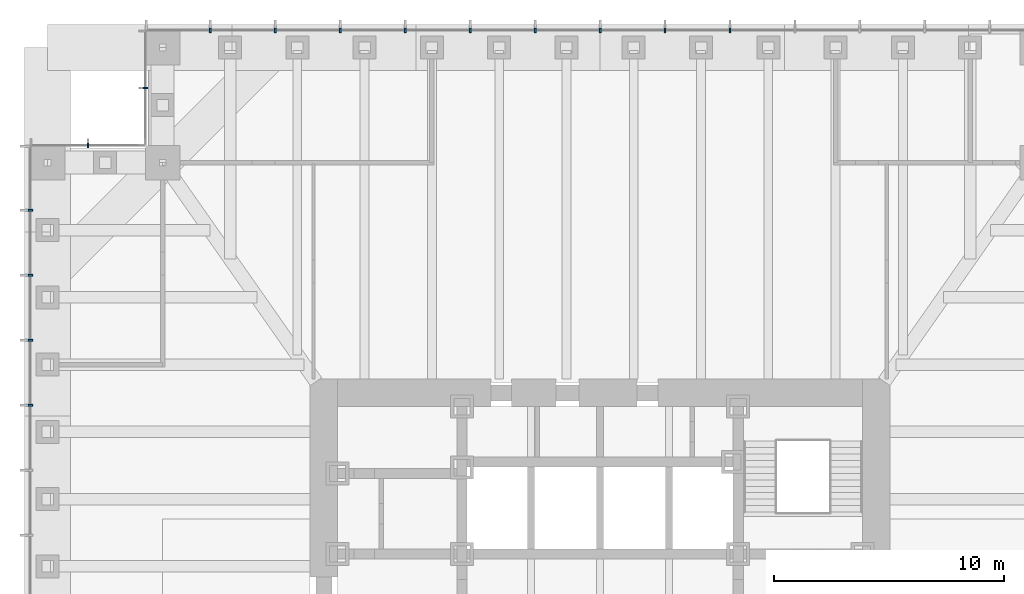
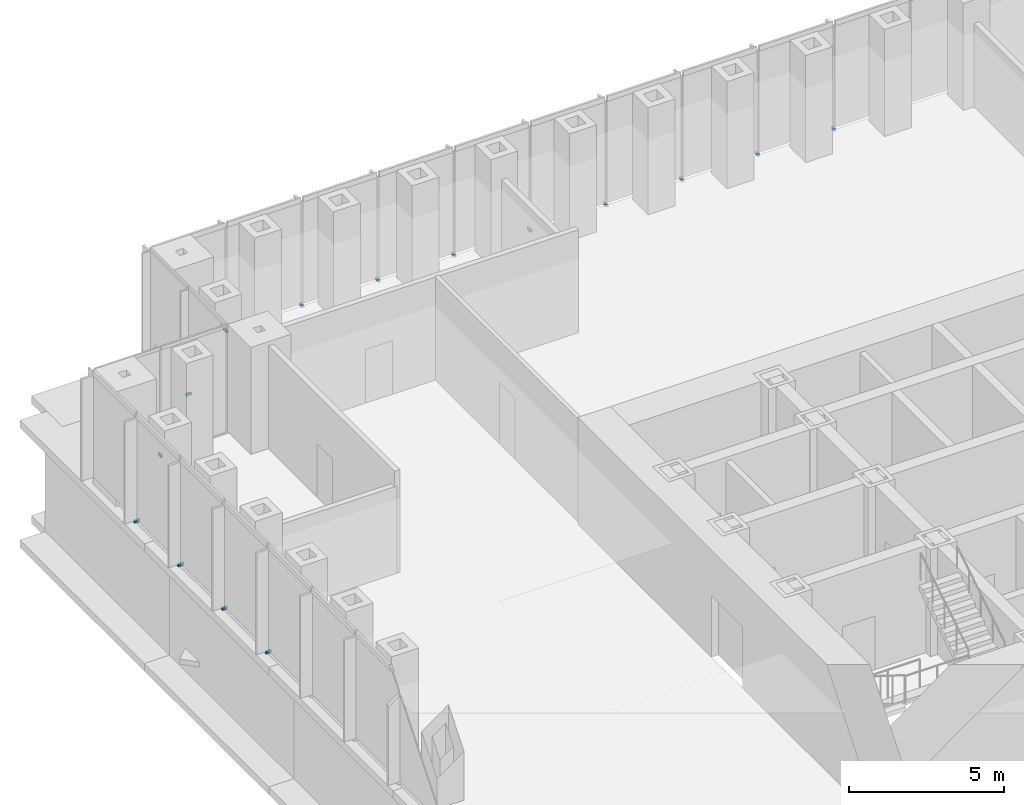
# One storey, part 14 of 16: 15 discrete accessories.
"""IFC4 building model written with IfcOpenShell, lengths in metres."""

import ifcopenshell
import ifcopenshell.guid

model = None  # the IFC model being written
_history = None  # IfcOwnerHistory: only IFC2X3 demands one
_inside = {}  # id of a spatial element -> (the spatial element, [elements in it])
_under = {}  # id of a project, library or spatial element -> (it, [spatial elements below it])
_declared = {}  # id of a project -> (the project, [libraries it declares])
_typed = {}  # id of a type object -> (the type object, [elements of that type])
_made_of = {}  # id of a material, layer set ... -> (it, [elements and type objects made of it])


def new_model(schema):
    """Start an empty IFC model of exactly this schema.

    Asked for "IFC4X3", IfcOpenShell would pick the latest addendum, in which some entities
    have other attributes; the version numbers below select the first issue.
    IFC2X3 requires an IfcOwnerHistory on every rooted entity: one is made here for all.
    """
    global model, _history
    if schema == "IFC4X3":
        model = ifcopenshell.file(schema_version=(4, 3, 0, 0))
    else:
        model = ifcopenshell.file(schema=schema)
    _inside.clear()
    _under.clear()
    _declared.clear()
    _typed.clear()
    _made_of.clear()
    _history = None
    if model.schema == "IFC2X3":
        org = make("IfcOrganization", Name="unknown")
        user = make(
            "IfcPersonAndOrganization",
            ThePerson=make("IfcPerson", FamilyName="unknown"),
            TheOrganization=org,
        )
        app = make(
            "IfcApplication",
            ApplicationDeveloper=org,
            Version="unknown",
            ApplicationFullName="unknown",
            ApplicationIdentifier="unknown",
        )
        _history = make(
            "IfcOwnerHistory",
            OwningUser=user,
            OwningApplication=app,
            ChangeAction="ADDED",
            CreationDate=0,
        )
    return model


def make(cls, **values):
    """One entity of the class cls with the attributes given. An attribute that is None is left unset."""
    return model.create_entity(
        cls, **{name: value for name, value in values.items() if value is not None}
    )


def rooted(cls, **values):
    """An entity with a GlobalId (a new one), such as an element, a storey or a relation."""
    return make(cls, GlobalId=ifcopenshell.guid.new(), OwnerHistory=_history, **values)


def si_unit(unit_type, name, prefix=None):
    """IfcSIUnit, for example si_unit("LENGTHUNIT", "METRE", prefix="MILLI")."""
    return make("IfcSIUnit", UnitType=unit_type, Prefix=prefix, Name=name)


def assignment(units):
    """IfcUnitAssignment: the units of a project."""
    return None if units is None else make("IfcUnitAssignment", Units=units)


def point(xyz):
    """IfcCartesianPoint."""
    return None if xyz is None else make("IfcCartesianPoint", Coordinates=xyz)


def direction(xyz):
    """IfcDirection."""
    return None if xyz is None else make("IfcDirection", DirectionRatios=xyz)


def frame(location, z_axis=None, x_axis=None):
    """IfcAxis2Placement3D, a coordinate frame: its origin and axes. An axis left out is left unset."""
    return make(
        "IfcAxis2Placement3D",
        Location=point(location),
        Axis=direction(z_axis),
        RefDirection=direction(x_axis),
    )


def frame_2d(location, x_axis=None):
    """IfcAxis2Placement2D, a coordinate frame in the plane: its origin and x axis."""
    return make(
        "IfcAxis2Placement2D", Location=point(location), RefDirection=direction(x_axis)
    )


def origin():
    """The frame at (0, 0, 0) with its axes left unset."""
    return frame((0.0, 0.0, 0.0))


def origin_2d():
    """The frame at (0, 0) in the plane with its x axis left unset."""
    return frame_2d((0.0, 0.0))


def place(relative_to, where):
    """IfcLocalPlacement: puts the frame where relative to a parent placement (None: the world)."""
    return make(
        "IfcLocalPlacement", PlacementRelTo=relative_to, RelativePlacement=where
    )


def context(
    kind, dimensions, precision=None, world=None, true_north=None, identifier=None
):
    """IfcGeometricRepresentationContext, for example the 3D "Model" context."""
    return make(
        "IfcGeometricRepresentationContext",
        ContextIdentifier=identifier,
        ContextType=kind,
        CoordinateSpaceDimension=dimensions,
        Precision=precision,
        WorldCoordinateSystem=world,
        TrueNorth=true_north,
    )


def subcontext(parent, identifier, kind, view, scale=None):
    """IfcGeometricRepresentationSubContext, for example "Body" below "Model"."""
    return make(
        "IfcGeometricRepresentationSubContext",
        ContextIdentifier=identifier,
        ContextType=kind,
        ParentContext=parent,
        TargetScale=scale,
        TargetView=view,
    )


def project(units=None, contexts=None):
    """IfcProject with its units and contexts."""
    return rooted(
        "IfcProject",
        Name="project",
        RepresentationContexts=contexts,
        UnitsInContext=assignment(units),
    )


def spatial(cls, under=None, at=None, **own):
    """A site, building, storey or space (cls), placed at a placement, below another one or the project."""
    s = rooted(cls, ObjectPlacement=at, **own)
    if under is not None:
        _under.setdefault(under.id(), (under, []))[1].append(s)
    return s


def profile(cls, at=None, kind="AREA", **sizes):
    """A parametric profile (cls). Its sizes go by their IFC names, for example OverallWidth=200.0."""
    return make(cls, ProfileType=kind, Position=at, **sizes)


def rectangle(**sizes):
    """IfcRectangleProfileDef."""
    return profile("IfcRectangleProfileDef", **sizes)


def extrude(swept, where, along, depth):
    """IfcExtrudedAreaSolid: the profile swept, set in the frame where, extruded along a direction by depth."""
    return make(
        "IfcExtrudedAreaSolid",
        SweptArea=swept,
        Position=where,
        ExtrudedDirection=direction(along),
        Depth=depth,
    )


def shape(context_of_items, identifier, shape_type, items):
    """IfcShapeRepresentation: the items that make up one representation, for example the "Body"."""
    return make(
        "IfcShapeRepresentation",
        ContextOfItems=context_of_items,
        RepresentationIdentifier=identifier,
        RepresentationType=shape_type,
        Items=items,
    )


def made_of(thing, what):
    """Note that an element or type object is made of a material, layer set ...; save() writes the relation."""
    if what is not None:
        _made_of.setdefault(what.id(), (what, []))[1].append(thing)
    return thing


def element(
    cls,
    number,
    at=None,
    inside=None,
    cuts=None,
    type_object=None,
    material=None,
    context=None,
    identifier="Body",
    shape_type=None,
    held_by="IfcProductDefinitionShape",
    body=None,
    shapes=None,
    **own,
):
    """One element of the class cls, such as IfcWall. Its Tag is "e" and its number.

    at: its placement. inside: the storey or other place that contains it. cuts: it is an
    opening in that element (IfcRelVoidsElement). A single representation is given by context,
    identifier, shape_type and body (its items); several are given by shapes. held_by: the class
    of the entity that holds the representations. save() writes the other relations.
    """
    e = rooted(cls, Tag="e%d" % number, ObjectPlacement=at, **own)
    if body is not None:
        shapes = [shape(context, identifier, shape_type, body)]
    if shapes is not None:
        e.Representation = make(held_by, Representations=shapes)
    if inside is not None:
        _inside.setdefault(inside.id(), (inside, []))[1].append(e)
    if cuts is not None:
        rooted(
            "IfcRelVoidsElement", RelatingBuildingElement=cuts, RelatedOpeningElement=e
        )
    if type_object is not None:
        _typed.setdefault(type_object.id(), (type_object, []))[1].append(e)
    return made_of(e, material)


def aggregate(whole, parts):
    """IfcRelAggregates: a whole, such as a stair, and the parts it consists of."""
    return rooted("IfcRelAggregates", RelatingObject=whole, RelatedObjects=parts)


def save(model, path):
    """Write the relations noted so far, then the file.

    IfcRelAggregates (storeys below a building ...), IfcRelContainedInSpatialStructure (elements
    in a storey), IfcRelDefinesByType, IfcRelAssociatesMaterial and IfcRelDeclares: one each for
    every whole, place, type object, material and project.
    """
    for whole, parts in _under.values():
        aggregate(whole, parts)
    for where, things in _inside.values():
        rooted(
            "IfcRelContainedInSpatialStructure",
            RelatedElements=things,
            RelatingStructure=where,
        )
    for kind, things in _typed.values():
        rooted("IfcRelDefinesByType", RelatedObjects=things, RelatingType=kind)
    for what, things in _made_of.values():
        rooted("IfcRelAssociatesMaterial", RelatedObjects=things, RelatingMaterial=what)
    for by, libraries in _declared.values():
        rooted("IfcRelDeclares", RelatingContext=by, RelatedDefinitions=libraries)
    model.write(path)


model = new_model("IFC4")

# Units and contexts
model_context = context("Model", 3, precision=1e-05, world=origin(), true_north=direction((0.0, 1.0)))
body_context = subcontext(model_context, "Body", "Model", "MODEL_VIEW")
ifc_project = project(units=[si_unit("LENGTHUNIT", "METRE"), si_unit("AREAUNIT", "SQUARE_METRE"), si_unit("VOLUMEUNIT", "CUBIC_METRE"), si_unit("PLANEANGLEUNIT", "RADIAN"), si_unit("MASSUNIT", "GRAM", prefix="KILO")], contexts=[model_context])

# Site, building, storey
site_placement = place(None, origin())
site = spatial("IfcSite", under=ifc_project, at=site_placement, CompositionType="ELEMENT")
building_placement = place(site_placement, origin())
building = spatial("IfcBuilding", under=site, at=building_placement, Name="Daluyong Arena Tower", CompositionType="ELEMENT")
storey_placement = place(building_placement, frame((0.0, 0.0, 34.89990234375)))
storey = spatial("IfcBuildingStorey", under=building, at=storey_placement, Name="L06", CompositionType="ELEMENT", Elevation=34.89990234375)

# Discrete accessories
for number, where, z_axis, x_axis, name in (
    (1, (61.642822265625, 104.75, -0.099853515625), (0.0, 0.0, 1.0), (-1.0, 0.0, 0.0), "curtain wall L06 N anchor bracket 6"),
    (2, (58.821533203125, 104.75, -0.099853515625), (0.0, 0.0, 1.0), (-1.0, 0.0, 0.0), "curtain wall L06 N anchor bracket 7"),
    (3, (56.0, 104.75, -0.099853515625), (0.0, 0.0, 1.0), (-1.0, 0.0, 0.0), "curtain wall L06 N anchor bracket 8"),
    (4, (53.178466796875, 104.75, -0.099853515625), (0.0, 0.0, 1.0), (-1.0, 0.0, 0.0), "curtain wall L06 N anchor bracket 9"),
    (5, (50.357177734375, 104.75, -0.099853515625), (0.0, 0.0, 1.0), (-1.0, 0.0, 0.0), "curtain wall L06 N anchor bracket 10"),
    (6, (47.53564453125, 104.75, -0.099853515625), (0.0, 0.0, 1.0), (-1.0, 0.0, 0.0), "curtain wall L06 N anchor bracket 11"),
    (7, (44.71435546875, 104.75, -0.099853515625), (0.0, 0.0, 1.0), (-1.0, 0.0, 0.0), "curtain wall L06 N anchor bracket 12"),
    (8, (41.892822265625, 104.75, -0.099853515625), (0.0, 0.0, 1.0), (-1.0, 0.0, 0.0), "curtain wall L06 N anchor bracket 13"),
    (9, (39.071533203125, 104.75, -0.099853515625), (0.0, 0.0, 1.0), (-1.0, 0.0, 0.0), "curtain wall L06 N anchor bracket 14"),
):
    element("IfcDiscreteAccessory", number, at=place(storey_placement, frame(where, z_axis=z_axis, x_axis=x_axis)), inside=storey, Name=name, PredefinedType="BRACKET", context=body_context, shape_type="SweptSolid", body=[
        extrude(rectangle(XDim=0.080078125, YDim=0.199951171875, at=origin_2d()), origin(), (0.0, 0.0, 1.0), 0.10009765625),
    ])
for number, where, z_axis, x_axis, name in (
    (10, (36.25, 102.25, -0.099853515625), (0.0, 0.0, 1.0), (0.0, -1.0, 0.0), "curtain wall L06 NW-W anchor bracket 2"),
    (11, (33.75, 99.75, -0.099853515625), (0.0, 0.0, 1.0), (-1.0, 0.0, 0.0), "curtain wall L06 NW-N anchor bracket 2"),
):
    element("IfcDiscreteAccessory", number, at=place(storey_placement, frame(where, z_axis=z_axis, x_axis=x_axis)), inside=storey, Name=name, PredefinedType="BRACKET", context=body_context, shape_type="SweptSolid", body=[
        extrude(rectangle(XDim=0.06005859375, YDim=0.199951171875, at=origin_2d()), origin(), (0.0, 0.0, 1.0), 0.10009765625),
    ])
for number, where, z_axis, x_axis, name in (
    (12, (31.25, 96.928466796875, -0.099853515625), (0.0, 0.0, 1.0), (0.0, -1.0, 0.0), "curtain wall L06 W anchor bracket 2"),
    (13, (31.25, 94.107177734375, -0.099853515625), (0.0, 0.0, 1.0), (0.0, -1.0, 0.0), "curtain wall L06 W anchor bracket 3"),
    (14, (31.25, 91.28564453125, -0.099853515625), (0.0, 0.0, 1.0), (0.0, -1.0, 0.0), "curtain wall L06 W anchor bracket 4"),
    (15, (31.25, 88.46435546875, -0.099853515625), (0.0, 0.0, 1.0), (0.0, -1.0, 0.0), "curtain wall L06 W anchor bracket 5"),
):
    element("IfcDiscreteAccessory", number, at=place(storey_placement, frame(where, z_axis=z_axis, x_axis=x_axis)), inside=storey, Name=name, PredefinedType="BRACKET", context=body_context, shape_type="SweptSolid", body=[
        extrude(rectangle(XDim=0.080078125, YDim=0.199951171875, at=origin_2d()), origin(), (0.0, 0.0, 1.0), 0.10009765625),
    ])

save(model, "model.ifc")
